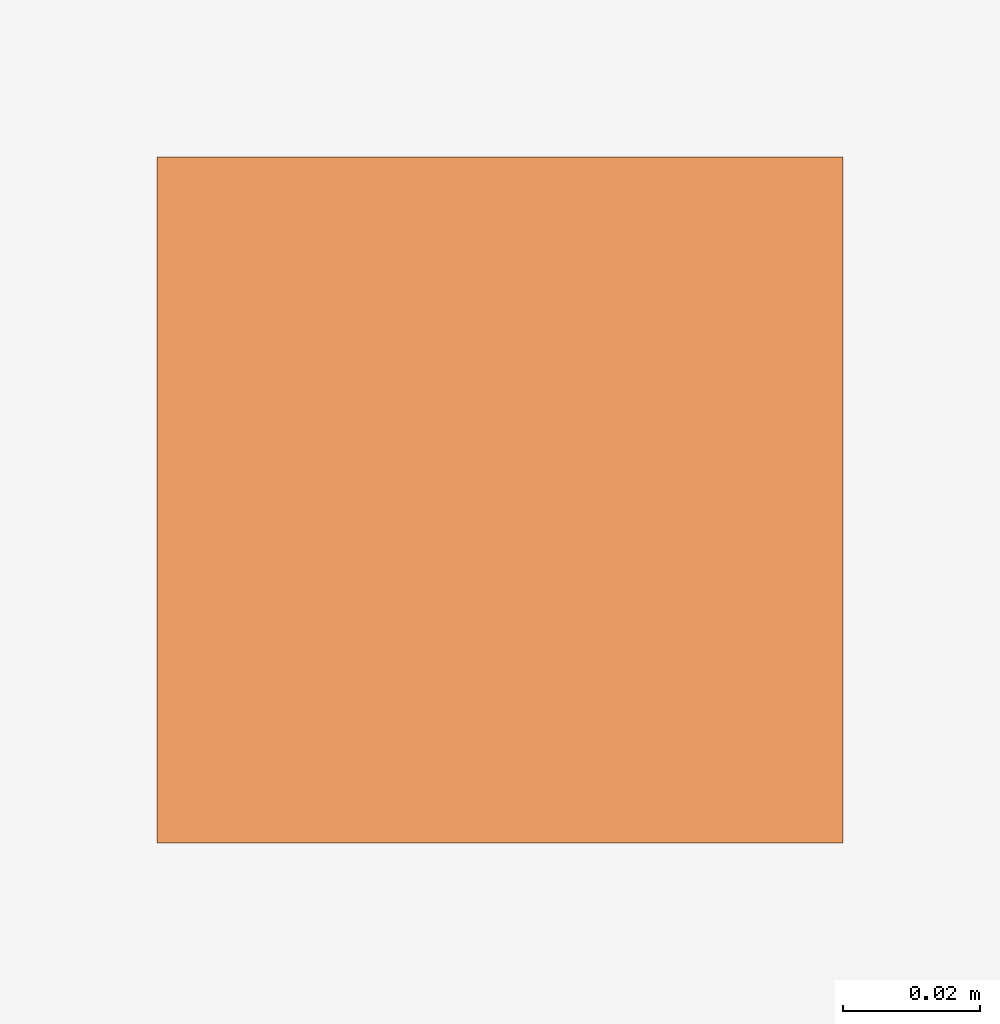
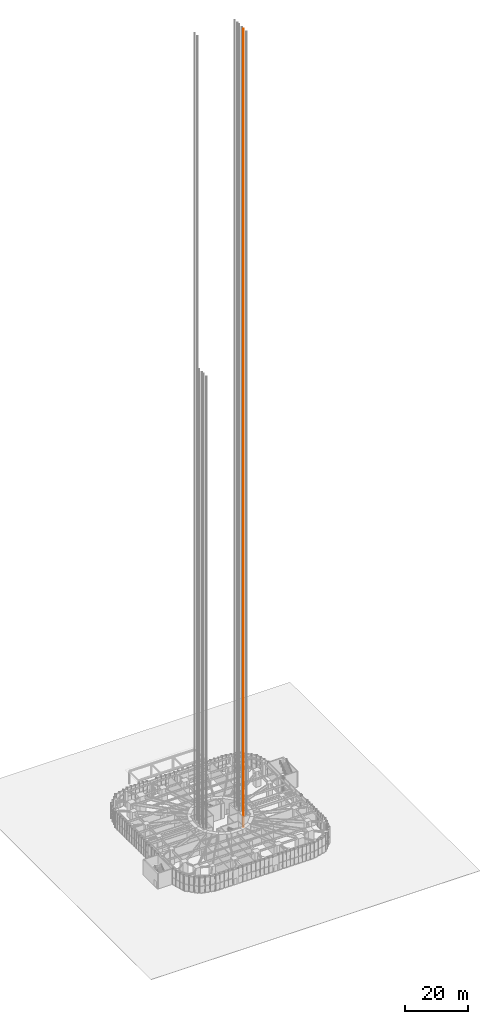
# One storey, part 39 of 43: 1 proxy.
"""IFC4 building model written with IfcOpenShell, lengths in metres."""

from ifc_helpers import new_model, si_unit, direction, frame, origin, origin_2d, place, context, subcontext, project, spatial, rectangle, extrude, material, type_object, element, save


model = new_model("IFC4")

# Units and contexts
model_context = context("Model", 3, precision=1e-05, world=origin(), true_north=direction((0.0, 1.0)))
body_context = subcontext(model_context, "Body", "Model", "MODEL_VIEW")
ifc_project = project(units=[si_unit("LENGTHUNIT", "METRE"), si_unit("AREAUNIT", "SQUARE_METRE"), si_unit("VOLUMEUNIT", "CUBIC_METRE"), si_unit("PLANEANGLEUNIT", "RADIAN"), si_unit("MASSUNIT", "GRAM", prefix="KILO")], contexts=[model_context])

# Site, building, storey
site_placement = place(None, origin())
site = spatial("IfcSite", under=ifc_project, at=site_placement, CompositionType="ELEMENT")
building_placement = place(site_placement, origin())
building = spatial("IfcBuilding", under=site, at=building_placement, Name="Nakasero Lantern House", CompositionType="ELEMENT")
storey_placement = place(building_placement, origin())
storey = spatial("IfcBuildingStorey", under=building, at=storey_placement, Name="L00", CompositionType="ELEMENT", Elevation=0.0)

# Proxy
ifc_material = material(Name="Steel S355", Category="steel")
building_element_proxy_type = type_object("IfcBuildingElementProxyType", Name="Lift guide rail", PredefinedType="ELEMENT", material=ifc_material)
proxy_placement = place(storey_placement, frame((7.300048828125, -1.89990234375, 0.0), z_axis=(0.0, 0.0, 1.0), x_axis=(1.0, 0.0, 0.0)))
element("IfcBuildingElementProxy", 1, at=proxy_placement, inside=storey, type_object=building_element_proxy_type, Name="Guide rail FLE1 2", PredefinedType="ELEMENT", context=body_context, shape_type="SweptSolid", body=[
    extrude(rectangle(XDim=0.10009765625, YDim=0.10009765625, at=origin_2d()), origin(), (0.0, 0.0, 1.0), 308.0),
])

save(model, "model.ifc")
